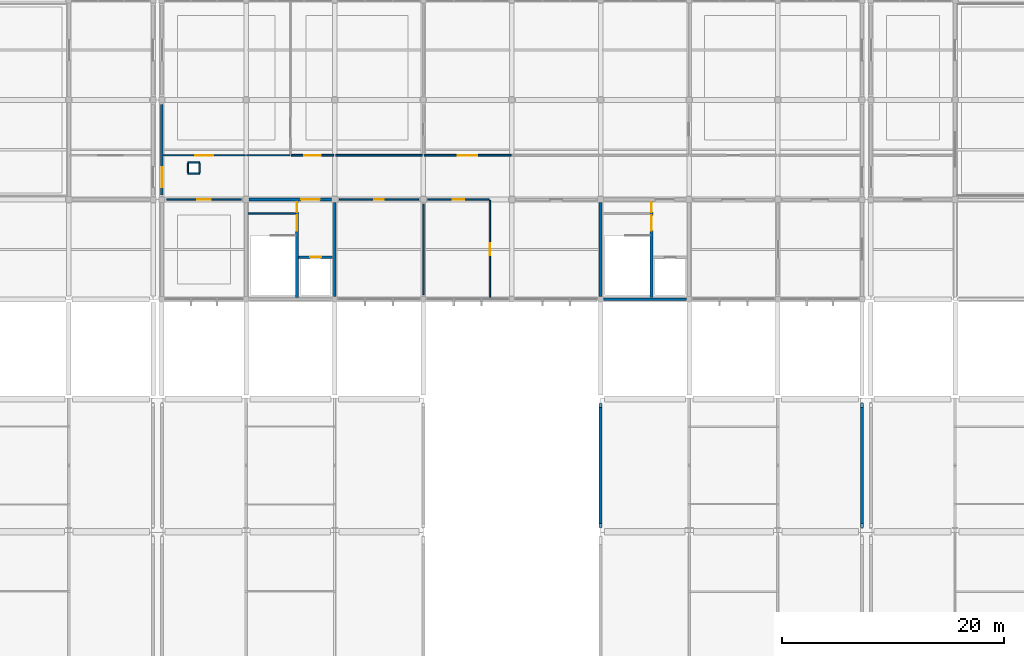
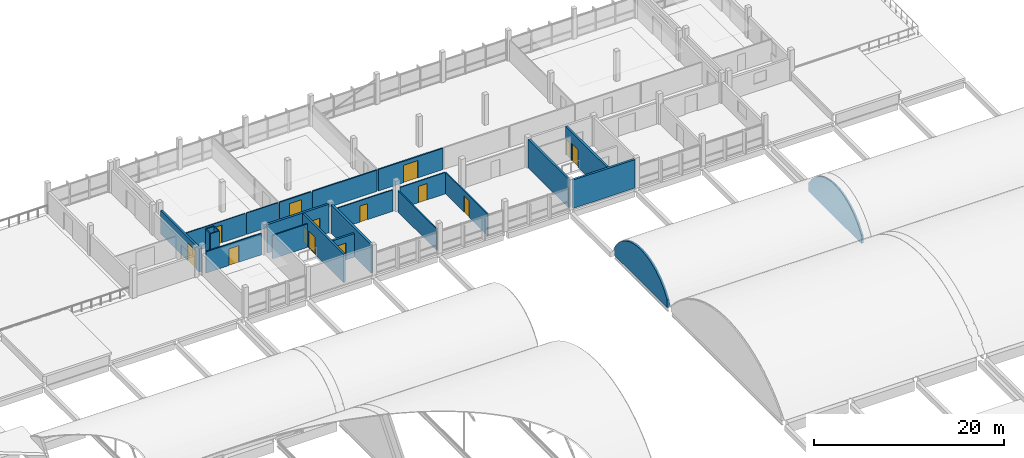
# One storey, part 51 of 57: 25 walls, 14 doors, 14 openings.
"""IFC4 building model written with IfcOpenShell, lengths in metres."""

from ifc_helpers import new_model, si_unit, direction, frame, frame_2d, origin, place, context, subcontext, project, spatial, polyline, rectangle, outline, extrude, material, layer, layer_set, type_object, element, fill, save


model = new_model("IFC4")

# Units and contexts
model_context = context("Model", 3, precision=1e-05, world=origin(), true_north=direction((0.0, 1.0)))
body_context = subcontext(model_context, "Body", "Model", "MODEL_VIEW")
ifc_project = project(units=[si_unit("LENGTHUNIT", "METRE"), si_unit("AREAUNIT", "SQUARE_METRE"), si_unit("VOLUMEUNIT", "CUBIC_METRE"), si_unit("PLANEANGLEUNIT", "RADIAN"), si_unit("MASSUNIT", "GRAM", prefix="KILO"), si_unit("THERMODYNAMICTEMPERATUREUNIT", "KELVIN"), si_unit("POWERUNIT", "WATT")], contexts=[model_context])

# Site, building, storey
site_placement = place(None, origin())
site = spatial("IfcSite", under=ifc_project, at=site_placement, CompositionType="ELEMENT")
building_placement = place(site_placement, origin())
building = spatial("IfcBuilding", under=site, at=building_placement, Name="Kronsvod Quay Wholesale Market", CompositionType="ELEMENT")
storey_placement = place(building_placement, frame((0.0, 0.0, 13.199951171875)))
storey = spatial("IfcBuildingStorey", under=building, at=storey_placement, Name="L03", CompositionType="ELEMENT", Elevation=13.199951171875)

# Wall, opening, door
ifc_material_1 = material(Name="Concrete C35/45", Category="concrete")
ifc_layer_1 = layer(ifc_material_1, 0.260009765625)
ifc_layer_set_1 = layer_set([ifc_layer_1], Name="Concrete C35/45")
wall_type_1 = type_object("IfcWallType", Name="Wall_CoreShear260", PredefinedType="SHEAR", material=ifc_layer_set_1)
wall_1_placement = place(storey_placement, frame((72.27001953125, 108.0, 0.0), z_axis=(0.0, 0.0, 1.0), x_axis=(1.0, 0.0, 0.0)))
wall_1 = element("IfcWall", 1, at=wall_1_placement, inside=storey, type_object=wall_type_1, Name="CW-C08-L03-N", PredefinedType="SHEAR", context=body_context, shape_type="SweptSolid", body=[
    extrude(rectangle(XDim=7.4599609375, YDim=0.260009765625, at=frame_2d((3.72998046875, 0.0))), origin(), (0.0, 0.0, 1.0), 3.6650390625),
])
opening_1_placement = place(wall_1_placement, frame((4.699951171875, 0.0, 0.0)))
opening_1 = element("IfcOpeningElement", 2, at=opening_1_placement, cuts=wall_1, Name="Opening D-0088", PredefinedType="OPENING", context=body_context, shape_type="SweptSolid", body=[
    extrude(rectangle(XDim=1.699951171875, YDim=2.25, at=frame_2d((0.85009765625, 1.125))), frame((0.0, 0.14013671875, 0.0), z_axis=(0.0, -1.0, 0.0), x_axis=(1.0, 0.0, 0.0)), (0.0, 0.0, 1.0), 0.280029296875),
])
ifc_material_2 = material(Name="Painted galvanized fire steel", Category="steel")
door_type_1 = type_object("IfcDoorType", Name="Door_FireLobby170x225", OperationType="DOUBLE_DOOR_SINGLE_SWING", PredefinedType="DOOR", material=ifc_material_2)
door_1_placement = place(opening_1_placement, origin())
door_1 = element("IfcDoor", 3, at=door_1_placement, inside=storey, type_object=door_type_1, Name="Core Lobby Door D-0088", OperationType="DOUBLE_DOOR_SINGLE_SWING", OverallHeight=2.25, OverallWidth=1.699951171875, PredefinedType="DOOR", context=body_context, shape_type="SweptSolid", body=[
    extrude(rectangle(XDim=1.699951171875, YDim=2.25, at=frame_2d((0.85009765625, 1.125))), frame((0.0, 0.02490234375, 0.0), z_axis=(0.0, -1.0, 0.0), x_axis=(1.0, 0.0, 0.0)), (0.0, 0.0, 1.0), 0.050048828125),
])
fill(opening_1, door_1)

# Walls
wall_2_placement = place(storey_placement, frame((80.0, 99.2451171875, 0.0), z_axis=(0.0, 0.0, 1.0), x_axis=(0.0, 1.0, 0.0)))
element("IfcWall", 4, at=wall_2_placement, inside=storey, type_object=wall_type_1, Name="CW-C08-L03-E", PredefinedType="SHEAR", context=body_context, shape_type="SweptSolid", body=[
    extrude(rectangle(XDim=8.48486328125, YDim=0.260009765625, at=frame_2d((4.242431640625, 0.0))), origin(), (0.0, 0.0, 1.0), 3.6650390625),
])
wall_3_placement = place(storey_placement, frame((104.2451171875, 99.0, 0.0), z_axis=(0.0, 0.0, 1.0), x_axis=(1.0, 0.0, 0.0)))
element("IfcWall", 5, at=wall_3_placement, inside=storey, type_object=wall_type_1, Name="CW-C09-L03-S", PredefinedType="SHEAR", context=body_context, shape_type="SweptSolid", body=[
    extrude(rectangle(XDim=7.509765625, YDim=0.260009765625, at=frame_2d((3.7548828125, 0.0))), origin(), (0.0, 0.0, 1.0), 3.6650390625),
])
wall_4_placement = place(storey_placement, frame((104.0, 99.2451171875, 0.0), z_axis=(0.0, 0.0, 1.0), x_axis=(0.0, 1.0, 0.0)))
element("IfcWall", 6, at=wall_4_placement, inside=storey, type_object=wall_type_1, Name="CW-C09-L03-W", PredefinedType="SHEAR", context=body_context, shape_type="SweptSolid", body=[
    extrude(rectangle(XDim=8.48486328125, YDim=0.260009765625, at=frame_2d((4.242431640625, 0.0))), origin(), (0.0, 0.0, 1.0), 3.6650390625),
])

# Wall, opening, door
ifc_material_3 = material(Name="Precast concrete C40/50", Category="concrete")
ifc_layer_2 = layer(ifc_material_3, 0.239990234375)
ifc_layer_set_2 = layer_set([ifc_layer_2], Name="Precast concrete C40/50")
wall_type_2 = type_object("IfcWallType", Name="Wall_ExtSpandrel240", PredefinedType="SOLIDWALL", material=ifc_layer_set_2)
wall_5_placement = place(storey_placement, frame((64.39990234375, 108.419921875, 0.0), z_axis=(0.0, 0.0, 1.0), x_axis=(0.0, 1.0, 0.0)))
wall_5 = element("IfcWall", 7, at=wall_5_placement, inside=storey, type_object=wall_type_2, Name="MJWG-L03-644-1080", PredefinedType="SOLIDWALL", context=body_context, shape_type="SweptSolid", body=[
    extrude(rectangle(XDim=8.16015625, YDim=0.239990234375, at=frame_2d((4.080078125, 0.0))), origin(), (0.0, 0.0, 1.0), 3.010009765625),
])
opening_2_placement = place(wall_5_placement, frame((0.699951171875, 0.0, 0.0)))
opening_2 = element("IfcOpeningElement", 8, at=opening_2_placement, cuts=wall_5, Name="Opening D-0392", PredefinedType="OPENING", context=body_context, shape_type="SweptSolid", body=[
    extrude(rectangle(XDim=1.800048828125, YDim=2.300048828125, at=frame_2d((0.89990234375, 1.14990234375))), frame((0.0, 0.1298828125, 0.0), z_axis=(0.0, -1.0, 0.0), x_axis=(1.0, 0.0, 0.0)), (0.0, 0.0, 1.0), 0.260009765625),
])
ifc_material_4 = material(Name="Painted galvanized fire steel", Category="steel")
door_type_2 = type_object("IfcDoorType", Name="Door_FireComp180x230", OperationType="DOUBLE_DOOR_SINGLE_SWING", PredefinedType="DOOR", material=ifc_material_4)
door_2_placement = place(opening_2_placement, origin())
door_2 = element("IfcDoor", 9, at=door_2_placement, inside=storey, type_object=door_type_2, Name="Fire Compartment Door D-0392", OperationType="DOUBLE_DOOR_SINGLE_SWING", OverallHeight=2.300048828125, OverallWidth=1.800048828125, PredefinedType="DOOR", context=body_context, shape_type="SweptSolid", body=[
    extrude(rectangle(XDim=1.800048828125, YDim=2.300048828125, at=frame_2d((0.89990234375, 1.14990234375))), frame((0.0, 0.02490234375, 0.0), z_axis=(0.0, -1.0, 0.0), x_axis=(1.0, 0.0, 0.0)), (0.0, 0.0, 1.0), 0.050048828125),
])
fill(opening_2, door_2)

# Walls
ifc_material_5 = material(Name="Precast concrete C40/50", Category="concrete")
ifc_layer_3 = layer(ifc_material_5, 0.260009765625)
ifc_layer_set_3 = layer_set([ifc_layer_3], Name="Precast concrete C40/50")
wall_type_3 = type_object("IfcWallType", Name="Wall_ExtTympanum260", PredefinedType="SOLIDWALL", material=ifc_layer_set_3)
for number, where, z_axis, x_axis, name in (
    (10, (104.0, 78.419921875, -0.25), (0.0, 0.0, 1.0), (0.0, 1.0, 0.0), "TYMP-11"),
    (11, (127.60009765625, 78.419921875, -0.25), (0.0, 0.0, 1.0), (0.0, 1.0, 0.0), "TYMP-12"),
):
    element("IfcWall", number, at=place(storey_placement, frame(where, z_axis=z_axis, x_axis=x_axis)), inside=storey, type_object=wall_type_3, Name=name, PredefinedType="SOLIDWALL", context=body_context, shape_type="SweptSolid", body=[
        extrude(outline(polyline([(0.0, 0.0), (11.16015625, 0.0), (11.159912109375, 1.024169921875), (10.36279296875, 2.062255859375), (9.565673828125, 2.78173828125), (8.7685546875, 3.3037109375), (7.971435546875, 3.678955078125), (7.17431640625, 3.93359375), (6.377197265625, 4.08154296875), (5.580078125, 4.130126953125), (4.782958984375, 4.08154296875), (3.985595703125, 3.93359375), (3.188720703125, 3.678955078125), (2.391357421875, 3.3037109375), (1.59423828125, 2.78173828125), (0.797119140625, 2.062255859375), (0.0, 1.024169921875), (0.0, 0.0)])), frame((0.0, 0.1298828125, 0.0), z_axis=(0.0, -1.0, 0.0), x_axis=(1.0, 0.0, 0.0)), (0.0, 0.0, 1.0), 0.260009765625),
    ])

# Wall, opening, door
ifc_material_6 = material(Name="Fire-rated corridor gypsum partition")
ifc_layer_4 = layer(ifc_material_6, 0.159912109375)
ifc_layer_set_4 = layer_set([ifc_layer_4], Name="Fire-rated corridor gypsum partition")
wall_type_4 = type_object("IfcWallType", Name="Wall_PartCorridor160", PredefinedType="PARTITIONING", material=ifc_layer_set_4)
wall_6_placement = place(storey_placement, frame((76.080078125, 112.0, 0.0), z_axis=(0.0, 0.0, 1.0), x_axis=(1.0, 0.0, 0.0)))
wall_6 = element("IfcWall", 12, at=wall_6_placement, inside=storey, type_object=wall_type_4, Name="PW-L03-0013", PredefinedType="PARTITIONING", context=body_context, shape_type="SweptSolid", body=[
    extrude(rectangle(XDim=3.83984375, YDim=0.159912109375, at=frame_2d((1.919921875, 0.0))), origin(), (0.0, 0.0, 1.0), 2.75),
])
opening_3_placement = place(wall_6_placement, frame((1.169921875, 0.0, 0.0)))
opening_3 = element("IfcOpeningElement", 13, at=opening_3_placement, cuts=wall_6, Name="Opening D-0307", PredefinedType="OPENING", context=body_context, shape_type="SweptSolid", body=[
    extrude(rectangle(XDim=1.5, YDim=2.14990234375, at=frame_2d((0.75, 1.074951171875))), frame((0.0, 0.08984375, 0.0), z_axis=(0.0, -1.0, 0.0), x_axis=(1.0, 0.0, 0.0)), (0.0, 0.0, 1.0), 0.179931640625),
])
ifc_material_7 = material(Name="Glazed timber suite door", Category="wood")
door_type_3 = type_object("IfcDoorType", Name="Door_OfficeDouble150x215", OperationType="DOUBLE_DOOR_SINGLE_SWING", PredefinedType="DOOR", material=ifc_material_7)
door_3_placement = place(opening_3_placement, origin())
door_3 = element("IfcDoor", 14, at=door_3_placement, inside=storey, type_object=door_type_3, Name="Interior Door D-0307", OperationType="DOUBLE_DOOR_SINGLE_SWING", OverallHeight=2.14990234375, OverallWidth=1.5, PredefinedType="DOOR", context=body_context, shape_type="SweptSolid", body=[
    extrude(rectangle(XDim=1.5, YDim=2.14990234375, at=frame_2d((0.75, 1.074951171875))), frame((0.0, 0.02490234375, 0.0), z_axis=(0.0, -1.0, 0.0), x_axis=(1.0, 0.0, 0.0)), (0.0, 0.0, 1.0), 0.050048828125),
])
fill(opening_3, door_3)

# Wall
wall_7_placement = place(storey_placement, frame((80.080078125, 112.0, 0.0), z_axis=(0.0, 0.0, 1.0), x_axis=(1.0, 0.0, 0.0)))
element("IfcWall", 15, at=wall_7_placement, inside=storey, type_object=wall_type_4, Name="PW-L03-0014", PredefinedType="PARTITIONING", context=body_context, shape_type="SweptSolid", body=[
    extrude(rectangle(XDim=7.83984375, YDim=0.159912109375, at=frame_2d((3.919921875, 0.0))), origin(), (0.0, 0.0, 1.0), 2.75),
])

# Wall, opening, door
ifc_material_8 = material(Name="Double-layer fire gypsum partition", Category="gypsum")
ifc_layer_5 = layer(ifc_material_8, 0.16796875)
ifc_layer_set_5 = layer_set([ifc_layer_5], Name="Double-layer fire gypsum partition")
wall_type_5 = type_object("IfcWallType", Name="Wall_PartCorridor168", PredefinedType="PARTITIONING", material=ifc_layer_set_5)
wall_8_placement = place(storey_placement, frame((88.080078125, 112.0, 0.0), z_axis=(0.0, 0.0, 1.0), x_axis=(1.0, 0.0, 0.0)))
wall_8 = element("IfcWall", 16, at=wall_8_placement, inside=storey, type_object=wall_type_5, Name="PW-L03-0015", PredefinedType="PARTITIONING", context=body_context, shape_type="SweptSolid", body=[
    extrude(rectangle(XDim=7.83984375, YDim=0.16796875, at=frame_2d((3.919921875, 0.0))), origin(), (0.0, 0.0, 1.0), 2.75),
])
opening_4_placement = place(wall_8_placement, frame((3.044921875, 0.0, 0.0)))
opening_4 = element("IfcOpeningElement", 17, at=opening_4_placement, cuts=wall_8, Name="Opening D-0308", PredefinedType="OPENING", context=body_context, shape_type="SweptSolid", body=[
    extrude(rectangle(XDim=1.75, YDim=2.219970703125, at=frame_2d((0.875, 1.10986328125))), frame((0.0, 0.093994140625, 0.0), z_axis=(0.0, -1.0, 0.0), x_axis=(1.0, 0.0, 0.0)), (0.0, 0.0, 1.0), 0.18798828125),
])
ifc_material_9 = material(Name="Glazed timber suite door", Category="wood")
door_type_4 = type_object("IfcDoorType", Name="Door_OfficeDouble175x222", OperationType="DOUBLE_DOOR_SINGLE_SWING", PredefinedType="DOOR", material=ifc_material_9)
door_4_placement = place(opening_4_placement, origin())
door_4 = element("IfcDoor", 18, at=door_4_placement, inside=storey, type_object=door_type_4, Name="Interior Door D-0308", OperationType="DOUBLE_DOOR_SINGLE_SWING", OverallHeight=2.219970703125, OverallWidth=1.75, PredefinedType="DOOR", context=body_context, shape_type="SweptSolid", body=[
    extrude(rectangle(XDim=1.75, YDim=2.219970703125, at=frame_2d((0.875, 1.10986328125))), frame((0.0, 0.02490234375, 0.0), z_axis=(0.0, -1.0, 0.0), x_axis=(1.0, 0.0, 0.0)), (0.0, 0.0, 1.0), 0.050048828125),
])
fill(opening_4, door_4)

ifc_material_10 = material(Name="Framed acoustic glass hall partition", Category="glass")
ifc_layer_6 = layer(ifc_material_10, 0.114990234375)
ifc_layer_set_6 = layer_set([ifc_layer_6], Name="Framed acoustic glass hall partition")
wall_type_6 = type_object("IfcWallType", Name="Wall_PartGlazed115", PredefinedType="PARTITIONING", material=ifc_layer_set_6)
wall_9_placement = place(storey_placement, frame((64.5400390625, 112.0, 0.0), z_axis=(0.0, 0.0, 1.0), x_axis=(1.0, 0.0, 0.0)))
wall_9 = element("IfcWall", 19, at=wall_9_placement, inside=storey, type_object=wall_type_6, Name="PW-L03-0011", PredefinedType="PARTITIONING", context=body_context, shape_type="SweptSolid", body=[
    extrude(rectangle(XDim=7.3798828125, YDim=0.114990234375, at=frame_2d((3.68994140625, 0.0))), origin(), (0.0, 0.0, 1.0), 2.75),
])
opening_5_placement = place(wall_9_placement, frame((2.864990234375, 0.0, 0.0)))
opening_5 = element("IfcOpeningElement", 20, at=opening_5_placement, cuts=wall_9, Name="Opening D-0306", PredefinedType="OPENING", context=body_context, shape_type="SweptSolid", body=[
    extrude(rectangle(XDim=1.64990234375, YDim=2.25, at=frame_2d((0.824951171875, 1.125))), frame((0.0, 0.0673828125, 0.0), z_axis=(0.0, -1.0, 0.0), x_axis=(1.0, 0.0, 0.0)), (0.0, 0.0, 1.0), 0.135009765625),
])
ifc_material_11 = material(Name="Glazed aluminium dining door", Category="aluminium")
door_type_5 = type_object("IfcDoorType", Name="Door_Canteen165x225", OperationType="DOUBLE_DOOR_SINGLE_SWING", PredefinedType="DOOR", material=ifc_material_11)
door_5_placement = place(opening_5_placement, origin())
door_5 = element("IfcDoor", 21, at=door_5_placement, inside=storey, type_object=door_type_5, Name="Interior Door D-0306", OperationType="DOUBLE_DOOR_SINGLE_SWING", OverallHeight=2.25, OverallWidth=1.64990234375, PredefinedType="DOOR", context=body_context, shape_type="SweptSolid", body=[
    extrude(rectangle(XDim=1.64990234375, YDim=2.25, at=frame_2d((0.824951171875, 1.125))), frame((0.0, 0.02490234375, 0.0), z_axis=(0.0, -1.0, 0.0), x_axis=(1.0, 0.0, 0.0)), (0.0, 0.0, 1.0), 0.050048828125),
])
fill(opening_5, door_5)

# Wall
wall_10_placement = place(storey_placement, frame((72.080078125, 112.0, 0.0), z_axis=(0.0, 0.0, 1.0), x_axis=(1.0, 0.0, 0.0)))
element("IfcWall", 22, at=wall_10_placement, inside=storey, type_object=wall_type_6, Name="PW-L03-0012", PredefinedType="PARTITIONING", context=body_context, shape_type="SweptSolid", body=[
    extrude(rectangle(XDim=3.83984375, YDim=0.114990234375, at=frame_2d((1.919921875, 0.0))), origin(), (0.0, 0.0, 1.0), 2.75),
])

# Wall, opening, door
ifc_material_12 = material(Name="Hygienic washable laboratory partition")
ifc_layer_7 = layer(ifc_material_12, 0.14990234375)
ifc_layer_set_7 = layer_set([ifc_layer_7], Name="Hygienic washable laboratory partition")
wall_type_7 = type_object("IfcWallType", Name="Wall_PartLab150", PredefinedType="PARTITIONING", material=ifc_layer_set_7)
wall_11_placement = place(storey_placement, frame((64.820068359375, 108.0, 0.0), z_axis=(0.0, 0.0, 1.0), x_axis=(1.0, 0.0, 0.0)))
wall_11 = element("IfcWall", 23, at=wall_11_placement, inside=storey, type_object=wall_type_7, Name="PW-L03-0002", PredefinedType="PARTITIONING", context=body_context, shape_type="SweptSolid", body=[
    extrude(rectangle(XDim=6.760009765625, YDim=0.14990234375, at=frame_2d((3.3798828125, 0.0))), origin(), (0.0, 0.0, 1.0), 2.75),
])
opening_6_placement = place(wall_11_placement, frame((2.780029296875, 0.0, 0.0)))
opening_6 = element("IfcOpeningElement", 24, at=opening_6_placement, cuts=wall_11, Name="Opening D-0298", PredefinedType="OPENING", context=body_context, shape_type="SweptSolid", body=[
    extrude(rectangle(XDim=1.199951171875, YDim=2.14990234375, at=frame_2d((0.60009765625, 1.074951171875))), frame((0.0, 0.0849609375, 0.0), z_axis=(0.0, -1.0, 0.0), x_axis=(1.0, 0.0, 0.0)), (0.0, 0.0, 1.0), 0.169921875),
])
ifc_material_13 = material(Name="Hygienic phenolic laboratory door", Category="aluminium")
door_type_6 = type_object("IfcDoorType", Name="Door_Lab120x215", OperationType="NOTDEFINED", PredefinedType="DOOR", material=ifc_material_13)
door_6_placement = place(opening_6_placement, origin())
door_6 = element("IfcDoor", 25, at=door_6_placement, inside=storey, type_object=door_type_6, Name="Interior Door D-0298", OperationType="SINGLE_SWING_LEFT", OverallHeight=2.14990234375, OverallWidth=1.199951171875, PredefinedType="DOOR", context=body_context, shape_type="SweptSolid", body=[
    extrude(rectangle(XDim=1.199951171875, YDim=2.14990234375, at=frame_2d((0.60009765625, 1.074951171875))), frame((0.0, 0.02490234375, 0.0), z_axis=(0.0, -1.0, 0.0), x_axis=(1.0, 0.0, 0.0)), (0.0, 0.0, 1.0), 0.050048828125),
])
fill(opening_6, door_6)

# Walls
ifc_material_14 = material(Name="Fire-rated shaft riser block wall", Category="masonry")
ifc_layer_8 = layer(ifc_material_14, 0.1201171875)
ifc_layer_set_8 = layer_set([ifc_layer_8], Name="Fire-rated shaft riser block wall")
wall_type_8 = type_object("IfcWallType", Name="Wall_PartRiser120", PredefinedType="PARTITIONING", material=ifc_layer_set_8)
for number, where, z_axis, x_axis, name in (
    (26, (66.739990234375, 110.340087890625, 0.0), (0.0, 0.0, 1.0), (1.0, 0.0, 0.0), "RSRW-SLB-L03-153-S"),
    (27, (66.739990234375, 111.360107421875, 0.0), (0.0, 0.0, 1.0), (1.0, 0.0, 0.0), "RSRW-SLB-L03-153-N"),
):
    element("IfcWall", number, at=place(storey_placement, frame(where, z_axis=z_axis, x_axis=x_axis)), inside=storey, type_object=wall_type_8, Name=name, PredefinedType="PARTITIONING", context=body_context, shape_type="SweptSolid", body=[
        extrude(rectangle(XDim=1.06005859375, YDim=0.1201171875, at=frame_2d((0.530029296875, 0.0))), origin(), (0.0, 0.0, 1.0), 2.949951171875),
    ])
for number, where, z_axis, x_axis, name in (
    (28, (66.760009765625, 110.419921875, 0.0), (0.0, 0.0, 1.0), (0.0, 1.0, 0.0), "RSRW-SLB-L03-153-W"),
    (29, (67.780029296875, 110.419921875, 0.0), (0.0, 0.0, 1.0), (0.0, 1.0, 0.0), "RSRW-SLB-L03-153-E"),
):
    element("IfcWall", number, at=place(storey_placement, frame(where, z_axis=z_axis, x_axis=x_axis)), inside=storey, type_object=wall_type_8, Name=name, PredefinedType="PARTITIONING", context=body_context, shape_type="SweptSolid", body=[
        extrude(rectangle(XDim=0.860107421875, YDim=0.1201171875, at=frame_2d((0.43017578125, 0.0))), origin(), (0.0, 0.0, 1.0), 2.949951171875),
    ])
ifc_material_15 = material(Name="Fire-rated shaft riser block wall", Category="masonry")
ifc_layer_9 = layer(ifc_material_15, 0.1298828125)
ifc_layer_set_9 = layer_set([ifc_layer_9], Name="Fire-rated shaft riser block wall")
wall_type_9 = type_object("IfcWallType", Name="Wall_PartRiser130", PredefinedType="PARTITIONING", material=ifc_layer_set_9)
wall_12_placement = place(storey_placement, frame((72.179931640625, 106.75, 0.0), z_axis=(0.0, 0.0, 1.0), x_axis=(1.0, 0.0, 0.0)))
element("IfcWall", 30, at=wall_12_placement, inside=storey, type_object=wall_type_9, Name="CW-C08-L03-RSR", PredefinedType="PARTITIONING", context=body_context, shape_type="SweptSolid", body=[
    extrude(rectangle(XDim=4.280029296875, YDim=0.1298828125, at=frame_2d((2.14013671875, 0.0))), origin(), (0.0, 0.0, 1.0), 3.01513671875),
])
ifc_material_16 = material(Name="Moisture-resistant sanitary block partition", Category="masonry")
ifc_layer_10 = layer(ifc_material_16, 0.135009765625)
ifc_layer_set_10 = layer_set([ifc_layer_10], Name="Moisture-resistant sanitary block partition")
wall_type_10 = type_object("IfcWallType", Name="Wall_PartWet135", PredefinedType="PLUMBINGWALL", material=ifc_layer_set_10)
wall_13_placement = place(storey_placement, frame((88.0, 99.419921875, 0.0), z_axis=(0.0, 0.0, 1.0), x_axis=(0.0, 1.0, 0.0)))
element("IfcWall", 31, at=wall_13_placement, inside=storey, type_object=wall_type_10, Name="PW-L03-0003", PredefinedType="PLUMBINGWALL", context=body_context, shape_type="SweptSolid", body=[
    extrude(rectangle(XDim=8.16015625, YDim=0.135009765625, at=frame_2d((4.080078125, 0.0))), origin(), (0.0, 0.0, 1.0), 2.75),
])

# Wall, opening, door
wall_14_placement = place(storey_placement, frame((80.419921875, 108.0, 0.0), z_axis=(0.0, 0.0, 1.0), x_axis=(1.0, 0.0, 0.0)))
wall_14 = element("IfcWall", 32, at=wall_14_placement, inside=storey, type_object=wall_type_10, Name="PW-L03-0004", PredefinedType="PLUMBINGWALL", context=body_context, shape_type="SweptSolid", body=[
    extrude(rectangle(XDim=7.16015625, YDim=0.135009765625, at=frame_2d((3.580078125, 0.0))), origin(), (0.0, 0.0, 1.0), 2.75),
])
opening_7_placement = place(wall_14_placement, frame((3.1298828125, 0.0, 0.0)))
opening_7 = element("IfcOpeningElement", 33, at=opening_7_placement, cuts=wall_14, Name="Opening D-0299", PredefinedType="OPENING", context=body_context, shape_type="SweptSolid", body=[
    extrude(rectangle(XDim=0.89990234375, YDim=2.06005859375, at=frame_2d((0.449951171875, 1.030029296875))), frame((0.0, 0.07763671875, 0.0), z_axis=(0.0, -1.0, 0.0), x_axis=(1.0, 0.0, 0.0)), (0.0, 0.0, 1.0), 0.155029296875),
])
ifc_material_17 = material(Name="Moisture-resistant laminate door", Category="wood")
door_type_7 = type_object("IfcDoorType", Name="Door_WC90x206", OperationType="NOTDEFINED", PredefinedType="DOOR", material=ifc_material_17)
door_7_placement = place(opening_7_placement, origin())
door_7 = element("IfcDoor", 34, at=door_7_placement, inside=storey, type_object=door_type_7, Name="Interior Door D-0299", OperationType="SINGLE_SWING_RIGHT", OverallHeight=2.06005859375, OverallWidth=0.89990234375, PredefinedType="DOOR", context=body_context, shape_type="SweptSolid", body=[
    extrude(rectangle(XDim=0.89990234375, YDim=2.06005859375, at=frame_2d((0.449951171875, 1.030029296875))), frame((0.0, 0.02490234375, 0.0), z_axis=(0.0, -1.0, 0.0), x_axis=(1.0, 0.0, 0.0)), (0.0, 0.0, 1.0), 0.050048828125),
])
fill(opening_7, door_7)

wall_15_placement = place(storey_placement, frame((94.0, 99.06005859375, 0.0), z_axis=(0.0, 0.0, 1.0), x_axis=(0.0, 1.0, 0.0)))
wall_15 = element("IfcWall", 35, at=wall_15_placement, inside=storey, type_object=wall_type_10, Name="PW-L03-0005", PredefinedType="PLUMBINGWALL", context=body_context, shape_type="SweptSolid", body=[
    extrude(rectangle(XDim=8.8798828125, YDim=0.135009765625, at=frame_2d((4.43994140625, 0.0))), origin(), (0.0, 0.0, 1.0), 2.75),
])
opening_8_placement = place(wall_15_placement, frame((3.89990234375, 0.0, 0.0)))
opening_8 = element("IfcOpeningElement", 36, at=opening_8_placement, cuts=wall_15, Name="Opening D-0300", PredefinedType="OPENING", context=body_context, shape_type="SweptSolid", body=[
    extrude(rectangle(XDim=1.080078125, YDim=2.1201171875, at=frame_2d((0.5400390625, 1.06005859375))), frame((0.0, 0.07763671875, 0.0), z_axis=(0.0, -1.0, 0.0), x_axis=(1.0, 0.0, 0.0)), (0.0, 0.0, 1.0), 0.155029296875),
])
ifc_material_18 = material(Name="Accessible outward-swing laminate door", Category="wood")
door_type_8 = type_object("IfcDoorType", Name="Door_AccWC108x212", OperationType="NOTDEFINED", PredefinedType="DOOR", material=ifc_material_18)
door_8_placement = place(opening_8_placement, origin())
door_8 = element("IfcDoor", 37, at=door_8_placement, inside=storey, type_object=door_type_8, Name="Interior Door D-0300", OperationType="SINGLE_SWING_LEFT", OverallHeight=2.1201171875, OverallWidth=1.080078125, PredefinedType="DOOR", context=body_context, shape_type="SweptSolid", body=[
    extrude(rectangle(XDim=1.080078125, YDim=2.1201171875, at=frame_2d((0.5400390625, 1.06005859375))), frame((0.0, 0.02490234375, 0.0), z_axis=(0.0, -1.0, 0.0), x_axis=(1.0, 0.0, 0.0)), (0.0, 0.0, 1.0), 0.050048828125),
])
fill(opening_8, door_8)

wall_16_placement = place(storey_placement, frame((88.419921875, 108.0, 0.0), z_axis=(0.0, 0.0, 1.0), x_axis=(1.0, 0.0, 0.0)))
wall_16 = element("IfcWall", 38, at=wall_16_placement, inside=storey, type_object=wall_type_10, Name="PW-L03-0006", PredefinedType="PLUMBINGWALL", context=body_context, shape_type="SweptSolid", body=[
    extrude(rectangle(XDim=5.52001953125, YDim=0.135009765625, at=frame_2d((2.760009765625, 0.0))), origin(), (0.0, 0.0, 1.0), 2.75),
])
opening_9_placement = place(wall_16_placement, frame((2.235107421875, 0.0, 0.0)))
opening_9 = element("IfcOpeningElement", 39, at=opening_9_placement, cuts=wall_16, Name="Opening D-0301", PredefinedType="OPENING", context=body_context, shape_type="SweptSolid", body=[
    extrude(rectangle(XDim=1.050048828125, YDim=2.10009765625, at=frame_2d((0.52490234375, 1.050048828125))), frame((0.0, 0.07763671875, 0.0), z_axis=(0.0, -1.0, 0.0), x_axis=(1.0, 0.0, 0.0)), (0.0, 0.0, 1.0), 0.155029296875),
])
ifc_material_19 = material(Name="Accessible outward-swing laminate door", Category="wood")
door_type_9 = type_object("IfcDoorType", Name="Door_AccWC105x210", OperationType="NOTDEFINED", PredefinedType="DOOR", material=ifc_material_19)
door_9_placement = place(opening_9_placement, origin())
door_9 = element("IfcDoor", 40, at=door_9_placement, inside=storey, type_object=door_type_9, Name="Interior Door D-0301", OperationType="SINGLE_SWING_RIGHT", OverallHeight=2.10009765625, OverallWidth=1.050048828125, PredefinedType="DOOR", context=body_context, shape_type="SweptSolid", body=[
    extrude(rectangle(XDim=1.050048828125, YDim=2.10009765625, at=frame_2d((0.52490234375, 1.050048828125))), frame((0.0, 0.02490234375, 0.0), z_axis=(0.0, -1.0, 0.0), x_axis=(1.0, 0.0, 0.0)), (0.0, 0.0, 1.0), 0.050048828125),
])
fill(opening_9, door_9)

# Wall, openings, doors
ifc_material_20 = material(Name="Concrete C35/45", Category="concrete")
ifc_layer_11 = layer(ifc_material_20, 0.239990234375)
ifc_layer_set_11 = layer_set([ifc_layer_11], Name="Concrete C35/45")
wall_type_11 = type_object("IfcWallType", Name="Wall_ShaftWall240", PredefinedType="SHEAR", material=ifc_layer_set_11)
wall_17_placement = place(storey_placement, frame((76.60009765625, 99.179931640625, 0.0), z_axis=(0.0, 0.0, 1.0), x_axis=(0.0, 1.0, 0.0)))
wall_17 = element("IfcWall", 41, at=wall_17_placement, inside=storey, type_object=wall_type_11, Name="CW-C08-L03-DIV", PredefinedType="SHEAR", context=body_context, shape_type="SweptSolid", body=[
    extrude(rectangle(XDim=8.64013671875, YDim=0.239990234375, at=frame_2d((4.320068359375, 0.0))), origin(), (0.0, 0.0, 1.0), 3.6650390625),
])
opening_10_placement = place(wall_17_placement, frame((6.02001953125, 0.0, 0.0)))
opening_10 = element("IfcOpeningElement", 42, at=opening_10_placement, cuts=wall_17, Name="Opening D-0086", PredefinedType="OPENING", context=body_context, shape_type="SweptSolid", body=[
    extrude(rectangle(XDim=1.39990234375, YDim=2.199951171875, at=frame_2d((0.699951171875, 1.10009765625))), frame((0.0, 0.1298828125, 0.0), z_axis=(0.0, -1.0, 0.0), x_axis=(1.0, 0.0, 0.0)), (0.0, 0.0, 1.0), 0.260009765625),
])
opening_11_placement = place(wall_17_placement, frame((7.679931640625, 0.0, 0.0)))
opening_11 = element("IfcOpeningElement", 43, at=opening_11_placement, cuts=wall_17, Name="Opening D-0087", PredefinedType="OPENING", context=body_context, shape_type="SweptSolid", body=[
    extrude(rectangle(XDim=0.8798828125, YDim=2.02001953125, at=frame_2d((0.43994140625, 1.010009765625))), frame((0.0, 0.1298828125, 0.0), z_axis=(0.0, -1.0, 0.0), x_axis=(1.0, 0.0, 0.0)), (0.0, 0.0, 1.0), 0.260009765625),
])
ifc_material_21 = material(Name="Painted galvanized fire steel", Category="steel")
door_type_10 = type_object("IfcDoorType", Name="Door_FireStair140x220", OperationType="NOTDEFINED", PredefinedType="DOOR", material=ifc_material_21)
door_10_placement = place(opening_10_placement, origin())
door_10 = element("IfcDoor", 44, at=door_10_placement, inside=storey, type_object=door_type_10, Name="Stair Fire Door D-0086", OperationType="SINGLE_SWING_LEFT", OverallHeight=2.199951171875, OverallWidth=1.39990234375, PredefinedType="DOOR", context=body_context, shape_type="SweptSolid", body=[
    extrude(rectangle(XDim=1.39990234375, YDim=2.199951171875, at=frame_2d((0.699951171875, 1.10009765625))), frame((0.0, 0.02490234375, 0.0), z_axis=(0.0, -1.0, 0.0), x_axis=(1.0, 0.0, 0.0)), (0.0, 0.0, 1.0), 0.050048828125),
])
fill(opening_10, door_10)
ifc_material_22 = material(Name="Fire-rated steel riser access door", Category="steel")
door_type_11 = type_object("IfcDoorType", Name="Door_Riser88x202", OperationType="NOTDEFINED", PredefinedType="DOOR", material=ifc_material_22)
door_11_placement = place(opening_11_placement, origin())
door_11 = element("IfcDoor", 45, at=door_11_placement, inside=storey, type_object=door_type_11, Name="Service Riser Door D-0087", OperationType="SINGLE_SWING_RIGHT", OverallHeight=2.02001953125, OverallWidth=0.8798828125, PredefinedType="DOOR", context=body_context, shape_type="SweptSolid", body=[
    extrude(rectangle(XDim=0.8798828125, YDim=2.02001953125, at=frame_2d((0.43994140625, 1.010009765625))), frame((0.0, 0.02490234375, 0.0), z_axis=(0.0, -1.0, 0.0), x_axis=(1.0, 0.0, 0.0)), (0.0, 0.0, 1.0), 0.050048828125),
])
fill(opening_11, door_11)

# Wall, opening, door
wall_18_placement = place(storey_placement, frame((76.75, 102.800048828125, 0.0), z_axis=(0.0, 0.0, 1.0), x_axis=(1.0, 0.0, 0.0)))
wall_18 = element("IfcWall", 46, at=wall_18_placement, inside=storey, type_object=wall_type_11, Name="CW-C08-L03-LSH", PredefinedType="SHEAR", context=body_context, shape_type="SweptSolid", body=[
    extrude(rectangle(XDim=3.070068359375, YDim=0.239990234375, at=frame_2d((1.53515625, 0.0))), origin(), (0.0, 0.0, 1.0), 3.01513671875),
])
opening_12_placement = place(wall_18_placement, frame((1.034912109375, 0.0, 0.0)))
opening_12 = element("IfcOpeningElement", 47, at=opening_12_placement, cuts=wall_18, Name="Opening D-0089", PredefinedType="OPENING", context=body_context, shape_type="SweptSolid", body=[
    extrude(rectangle(XDim=1.0, YDim=2.14990234375, at=frame_2d((0.5, 1.074951171875))), frame((0.0, 0.1298828125, 0.0), z_axis=(0.0, -1.0, 0.0), x_axis=(1.0, 0.0, 0.0)), (0.0, 0.0, 1.0), 0.260009765625),
])
ifc_material_23 = material(Name="Brushed stainless steel", Category="steel")
door_type_12 = type_object("IfcDoorType", Name="Door_LiftLandingPax", OperationType="SLIDING_TO_LEFT", PredefinedType="DOOR", material=ifc_material_23)
door_12_placement = place(opening_12_placement, origin())
door_12 = element("IfcDoor", 48, at=door_12_placement, inside=storey, type_object=door_type_12, Name="Lift Landing Door LFT-P03 L03", OperationType="SLIDING_TO_LEFT", OverallHeight=2.14990234375, OverallWidth=1.0, PredefinedType="DOOR", context=body_context, shape_type="SweptSolid", body=[
    extrude(rectangle(XDim=1.0, YDim=2.14990234375, at=frame_2d((0.5, 1.074951171875))), frame((0.0, 0.02490234375, 0.0), z_axis=(0.0, -1.0, 0.0), x_axis=(1.0, 0.0, 0.0)), (0.0, 0.0, 1.0), 0.050048828125),
])
fill(opening_12, door_12)

# Wall, openings, doors
wall_19_placement = place(storey_placement, frame((108.60009765625, 99.179931640625, 0.0), z_axis=(0.0, 0.0, 1.0), x_axis=(0.0, 1.0, 0.0)))
wall_19 = element("IfcWall", 49, at=wall_19_placement, inside=storey, type_object=wall_type_11, Name="CW-C09-L03-DIV", PredefinedType="SHEAR", context=body_context, shape_type="SweptSolid", body=[
    extrude(rectangle(XDim=8.64013671875, YDim=0.239990234375, at=frame_2d((4.320068359375, 0.0))), origin(), (0.0, 0.0, 1.0), 3.6650390625),
])
opening_13_placement = place(wall_19_placement, frame((6.02001953125, 0.0, 0.0)))
opening_13 = element("IfcOpeningElement", 50, at=opening_13_placement, cuts=wall_19, Name="Opening D-0102", PredefinedType="OPENING", context=body_context, shape_type="SweptSolid", body=[
    extrude(rectangle(XDim=1.3798828125, YDim=2.219970703125, at=frame_2d((0.68994140625, 1.10986328125))), frame((0.0, 0.1298828125, 0.0), z_axis=(0.0, -1.0, 0.0), x_axis=(1.0, 0.0, 0.0)), (0.0, 0.0, 1.0), 0.260009765625),
])
opening_14_placement = place(wall_19_placement, frame((7.679931640625, 0.0, 0.0)))
opening_14 = element("IfcOpeningElement", 51, at=opening_14_placement, cuts=wall_19, Name="Opening D-0103", PredefinedType="OPENING", context=body_context, shape_type="SweptSolid", body=[
    extrude(rectangle(XDim=0.89990234375, YDim=2.050048828125, at=frame_2d((0.449951171875, 1.02490234375))), frame((0.0, 0.1298828125, 0.0), z_axis=(0.0, -1.0, 0.0), x_axis=(1.0, 0.0, 0.0)), (0.0, 0.0, 1.0), 0.260009765625),
])
ifc_material_24 = material(Name="Painted galvanized fire steel", Category="steel")
door_type_13 = type_object("IfcDoorType", Name="Door_FireStair138x222", OperationType="NOTDEFINED", PredefinedType="DOOR", material=ifc_material_24)
door_13_placement = place(opening_13_placement, origin())
door_13 = element("IfcDoor", 52, at=door_13_placement, inside=storey, type_object=door_type_13, Name="Stair Fire Door D-0102", OperationType="SINGLE_SWING_LEFT", OverallHeight=2.219970703125, OverallWidth=1.3798828125, PredefinedType="DOOR", context=body_context, shape_type="SweptSolid", body=[
    extrude(rectangle(XDim=1.3798828125, YDim=2.219970703125, at=frame_2d((0.68994140625, 1.10986328125))), frame((0.0, 0.02490234375, 0.0), z_axis=(0.0, -1.0, 0.0), x_axis=(1.0, 0.0, 0.0)), (0.0, 0.0, 1.0), 0.050048828125),
])
fill(opening_13, door_13)
ifc_material_25 = material(Name="Fire-rated steel riser access door", Category="steel")
door_type_14 = type_object("IfcDoorType", Name="Door_Riser90x205", OperationType="NOTDEFINED", PredefinedType="DOOR", material=ifc_material_25)
door_14_placement = place(opening_14_placement, origin())
door_14 = element("IfcDoor", 53, at=door_14_placement, inside=storey, type_object=door_type_14, Name="Service Riser Door D-0103", OperationType="SINGLE_SWING_RIGHT", OverallHeight=2.050048828125, OverallWidth=0.89990234375, PredefinedType="DOOR", context=body_context, shape_type="SweptSolid", body=[
    extrude(rectangle(XDim=0.89990234375, YDim=2.050048828125, at=frame_2d((0.449951171875, 1.02490234375))), frame((0.0, 0.02490234375, 0.0), z_axis=(0.0, -1.0, 0.0), x_axis=(1.0, 0.0, 0.0)), (0.0, 0.0, 1.0), 0.050048828125),
])
fill(opening_14, door_14)

save(model, "model.ifc")
